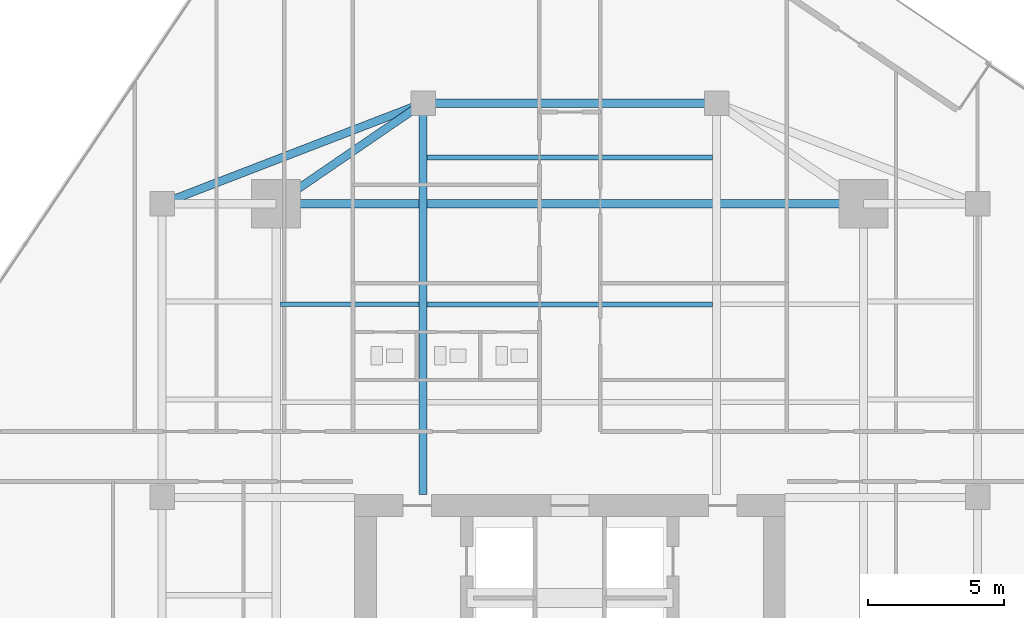
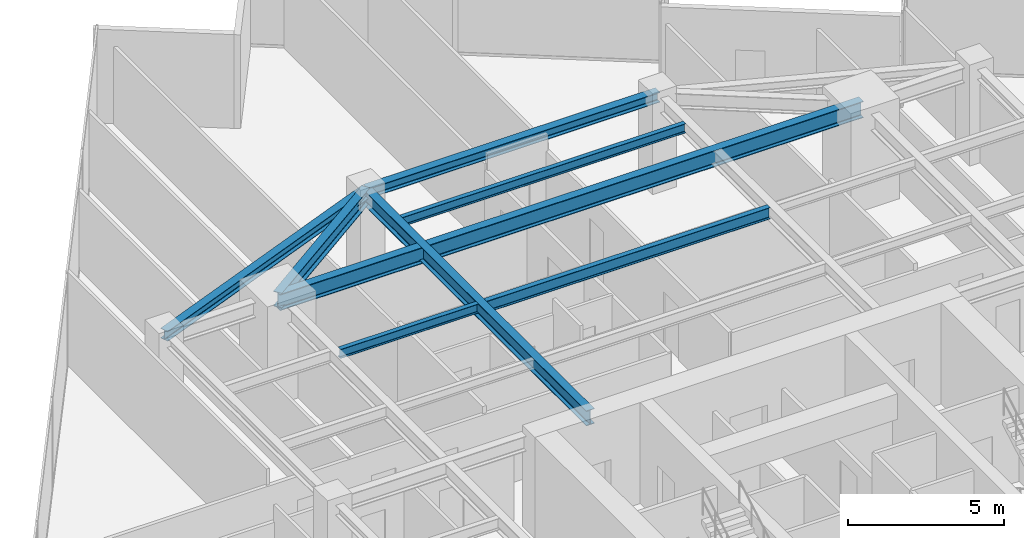
# One storey, part 15 of 27: 8 beams.
"""IFC4 building model written with IfcOpenShell, lengths in metres."""

from ifc_helpers import new_model, si_unit, direction, frame, origin, origin_2d, place, context, subcontext, project, spatial, i_section, extrude, source, transform, mapped, material, material_profile, profile_set, type_object, type_shapes, element, save


model = new_model("IFC4")

# Units and contexts
model_context = context("Model", 3, precision=1e-05, world=origin(), true_north=direction((0.0, 1.0)))
body_context = subcontext(model_context, "Body", "Model", "MODEL_VIEW")
ifc_project = project(units=[si_unit("LENGTHUNIT", "METRE"), si_unit("AREAUNIT", "SQUARE_METRE"), si_unit("VOLUMEUNIT", "CUBIC_METRE"), si_unit("PLANEANGLEUNIT", "RADIAN"), si_unit("MASSUNIT", "GRAM", prefix="KILO")], contexts=[model_context])

# Site, building, storey
site_placement = place(None, origin())
site = spatial("IfcSite", under=ifc_project, at=site_placement, CompositionType="ELEMENT")
building_placement = place(site_placement, origin())
building = spatial("IfcBuilding", under=site, at=building_placement, Name="Krantzveldt Concourse Tower", CompositionType="ELEMENT")
storey_placement = place(building_placement, frame((0.0, 0.0, 189.64990234375)))
storey = spatial("IfcBuildingStorey", under=building, at=storey_placement, Name="L46", CompositionType="ELEMENT", Elevation=189.64990234375)

# Beams
ifc_material = material(Name="Steel S355JR", Category="steel")
ifc_material_profile_1 = material_profile(ifc_material, i_section(OverallWidth=0.300048828125, OverallDepth=0.639892578125, WebThickness=0.013427734375, FlangeThickness=0.02587890625, FilletRadius=0.027099609375, at=origin_2d()), Name="Steel S355JR", Category="steel")
ifc_profile_set_1 = profile_set([ifc_material_profile_1], Name="Steel S355JR - HEA 650")
beam_type_1 = type_object("IfcBeamType", Name="BM-B-HEA650", PredefinedType="BEAM", material=ifc_profile_set_1)
shared_shape_1 = source(origin(), body_context, "Body", "SweptSolid", [
    extrude(i_section(OverallWidth=0.300048828125, OverallDepth=0.639892578125, WebThickness=0.013427734375, FlangeThickness=0.02587890625, FilletRadius=0.027099609375, at=origin_2d()), origin(), (0.0, 0.0, 1.0), 21.60009765625),
])
type_shapes(beam_type_1, [shared_shape_1])
beam_1_placement = place(storey_placement, frame((25.199951171875, 37.5, 3.35009765625), z_axis=(1.0, 0.0, 0.0), x_axis=(0.0, 1.0, 0.0)))
element("IfcBeam", 1, at=beam_1_placement, inside=storey, type_object=beam_type_1, Name="L46 Tower Girder BG-MN", PredefinedType="BEAM", context=body_context, shape_type="MappedRepresentation", body=[
    mapped(shared_shape_1, transform((0.0, 0.0, 0.0), x_axis=(1.0, 0.0, 0.0), y_axis=(0.0, 1.0, 0.0), z_axis=(0.0, 0.0, 1.0), scale=1.0)),
])
ifc_material_profile_2 = material_profile(ifc_material, i_section(OverallWidth=0.300048828125, OverallDepth=0.590087890625, WebThickness=0.012939453125, FlangeThickness=0.02490234375, FilletRadius=0.027099609375, at=origin_2d()), Name="Steel S355JR", Category="steel")
ifc_profile_set_2 = profile_set([ifc_material_profile_2], Name="Steel S355JR - HEA 600")
beam_type_2 = type_object("IfcBeamType", Name="BM-B-HEA600", PredefinedType="BEAM", material=ifc_profile_set_2)
shared_shape_2 = source(origin(), body_context, "Body", "SweptSolid", [
    extrude(i_section(OverallWidth=0.300048828125, OverallDepth=0.590087890625, WebThickness=0.012939453125, FlangeThickness=0.02490234375, FilletRadius=0.027099609375, at=origin_2d()), origin(), (0.0, 0.0, 1.0), 14.39990234375),
])
beam_2_placement = place(storey_placement, frame((30.60009765625, 26.800048828125, 3.375), z_axis=(0.0, 1.0, 0.0), x_axis=(-1.0, 0.0, 0.0)))
element("IfcBeam", 2, at=beam_2_placement, inside=storey, type_object=beam_type_2, Name="L46 Tower Girder BG-CNW", PredefinedType="BEAM", context=body_context, shape_type="MappedRepresentation", body=[
    mapped(shared_shape_2, transform((0.0, 0.0, 0.0), x_axis=(1.0, 0.0, 0.0), y_axis=(0.0, 1.0, 0.0), z_axis=(0.0, 0.0, 1.0), scale=1.0)),
])
shared_shape_3 = source(origin(), body_context, "Body", "SweptSolid", [
    extrude(i_section(OverallWidth=0.300048828125, OverallDepth=0.590087890625, WebThickness=0.012939453125, FlangeThickness=0.02490234375, FilletRadius=0.027099609375, at=origin_2d()), origin(), (0.0, 0.0, 1.0), 6.546142578125),
])
type_shapes(beam_type_2, [shared_shape_2, shared_shape_3])
beam_3_placement = place(storey_placement, frame((25.199951171875, 37.5, 3.375), z_axis=(0.824942999484, 0.565215930068, 0.0), x_axis=(-0.565215930068, 0.824942999484, 0.0)))
element("IfcBeam", 3, at=beam_3_placement, inside=storey, type_object=beam_type_2, Name="L46 Tower Girder BR-RL4", PredefinedType="BEAM", context=body_context, shape_type="MappedRepresentation", body=[
    mapped(shared_shape_3, transform((0.0, 0.0, 0.0), x_axis=(1.0, 0.0, 0.0), y_axis=(0.0, 1.0, 0.0), z_axis=(0.0, 0.0, 1.0), scale=1.0)),
])
ifc_material_profile_3 = material_profile(ifc_material, i_section(OverallWidth=0.18994140625, OverallDepth=0.449951171875, WebThickness=0.009521484375, FlangeThickness=0.0146484375, FilletRadius=0.02099609375, at=origin_2d()), Name="Steel S355JR", Category="steel")
ifc_profile_set_3 = profile_set([ifc_material_profile_3], Name="Steel S355JR - IPE 450")
beam_type_3 = type_object("IfcBeamType", Name="BM-J-IPE450", PredefinedType="JOIST", material=ifc_profile_set_3)
shared_shape_4 = source(origin(), body_context, "Body", "SweptSolid", [
    extrude(i_section(OverallWidth=0.18994140625, OverallDepth=0.449951171875, WebThickness=0.009521484375, FlangeThickness=0.0146484375, FilletRadius=0.02099609375, at=origin_2d()), origin(), (0.0, 0.0, 1.0), 10.5),
])
type_shapes(beam_type_3, [shared_shape_4])
beam_4_placement = place(storey_placement, frame((30.75, 33.800048828125, 3.445068359375), z_axis=(1.0, 0.0, 0.0), x_axis=(0.0, 1.0, 0.0)))
element("IfcBeam", 4, at=beam_4_placement, inside=storey, type_object=beam_type_3, Name="L46 Secondary Floor Joist JN-C2", PredefinedType="JOIST", context=body_context, shape_type="MappedRepresentation", body=[
    mapped(shared_shape_4, transform((0.0, 0.0, 0.0), x_axis=(1.0, 0.0, 0.0), y_axis=(0.0, 1.0, 0.0), z_axis=(0.0, 0.0, 1.0), scale=1.0)),
])
ifc_material_profile_4 = material_profile(ifc_material, i_section(OverallWidth=0.300048828125, OverallDepth=0.389892578125, WebThickness=0.010986328125, FlangeThickness=0.01904296875, FilletRadius=0.027099609375, at=origin_2d()), Name="Steel S355JR", Category="steel")
ifc_profile_set_4 = profile_set([ifc_material_profile_4], Name="Steel S355JR - HEA 400")
beam_type_4 = type_object("IfcBeamType", Name="BM-SP-HEA400", PredefinedType="SPANDREL", material=ifc_profile_set_4)
shared_shape_5 = source(origin(), body_context, "Body", "SweptSolid", [
    extrude(i_section(OverallWidth=0.300048828125, OverallDepth=0.389892578125, WebThickness=0.010986328125, FlangeThickness=0.01904296875, FilletRadius=0.027099609375, at=origin_2d()), origin(), (0.0, 0.0, 1.0), 10.288330078125),
])
beam_5_placement = place(storey_placement, frame((21.0, 37.5, 3.47509765625), z_axis=(0.933097690408, 0.359622997257, 0.0), x_axis=(-0.359622997257, 0.933097690408, 0.0)))
element("IfcBeam", 5, at=beam_5_placement, inside=storey, type_object=beam_type_4, Name="L46 Tower Girder SP-R03", PredefinedType="SPANDREL", context=body_context, shape_type="MappedRepresentation", body=[
    mapped(shared_shape_5, transform((0.0, 0.0, 0.0), x_axis=(1.0, 0.0, 0.0), y_axis=(0.0, 1.0, 0.0), z_axis=(0.0, 0.0, 1.0), scale=1.0)),
])
shared_shape_6 = source(origin(), body_context, "Body", "SweptSolid", [
    extrude(i_section(OverallWidth=0.300048828125, OverallDepth=0.389892578125, WebThickness=0.010986328125, FlangeThickness=0.01904296875, FilletRadius=0.027099609375, at=origin_2d()), origin(), (0.0, 0.0, 1.0), 10.7998046875),
])
type_shapes(beam_type_4, [shared_shape_5, shared_shape_6])
beam_6_placement = place(storey_placement, frame((30.60009765625, 41.199951171875, 3.47509765625), z_axis=(1.0, 0.0, 0.0), x_axis=(0.0, 1.0, 0.0)))
element("IfcBeam", 6, at=beam_6_placement, inside=storey, type_object=beam_type_4, Name="L46 Tower Girder SP-R04", PredefinedType="SPANDREL", context=body_context, shape_type="MappedRepresentation", body=[
    mapped(shared_shape_6, transform((0.0, 0.0, 0.0), x_axis=(1.0, 0.0, 0.0), y_axis=(0.0, 1.0, 0.0), z_axis=(0.0, 0.0, 1.0), scale=1.0)),
])
ifc_material_profile_5 = material_profile(ifc_material, i_section(OverallWidth=0.169921875, OverallDepth=0.360107421875, WebThickness=0.008056640625, FlangeThickness=0.0126953125, FilletRadius=0.01806640625, at=origin_2d()), Name="Steel S355JR", Category="steel")
ifc_profile_set_5 = profile_set([ifc_material_profile_5], Name="Steel S355JR - IPE 360")
beam_type_5 = type_object("IfcBeamType", Name="BM-J-IPE360", PredefinedType="JOIST", material=ifc_profile_set_5)
shared_shape_7 = source(origin(), body_context, "Body", "SweptSolid", [
    extrude(i_section(OverallWidth=0.169921875, OverallDepth=0.360107421875, WebThickness=0.008056640625, FlangeThickness=0.0126953125, FilletRadius=0.01806640625, at=origin_2d()), origin(), (0.0, 0.0, 1.0), 10.5),
])
beam_7_placement = place(storey_placement, frame((30.75, 39.199951171875, 3.489990234375), z_axis=(1.0, 0.0, 0.0), x_axis=(0.0, 1.0, 0.0)))
element("IfcBeam", 7, at=beam_7_placement, inside=storey, type_object=beam_type_5, Name="L46 Secondary Floor Joist JN-C3", PredefinedType="JOIST", context=body_context, shape_type="MappedRepresentation", body=[
    mapped(shared_shape_7, transform((0.0, 0.0, 0.0), x_axis=(1.0, 0.0, 0.0), y_axis=(0.0, 1.0, 0.0), z_axis=(0.0, 0.0, 1.0), scale=1.0)),
])
shared_shape_8 = source(origin(), body_context, "Body", "SweptSolid", [
    extrude(i_section(OverallWidth=0.169921875, OverallDepth=0.360107421875, WebThickness=0.008056640625, FlangeThickness=0.0126953125, FilletRadius=0.01806640625, at=origin_2d()), origin(), (0.0, 0.0, 1.0), 5.099853515625),
])
type_shapes(beam_type_5, [shared_shape_7, shared_shape_8])
beam_8_placement = place(storey_placement, frame((25.35009765625, 33.800048828125, 3.489990234375), z_axis=(1.0, 0.0, 0.0), x_axis=(0.0, 1.0, 0.0)))
element("IfcBeam", 8, at=beam_8_placement, inside=storey, type_object=beam_type_5, Name="L46 Secondary Floor Joist JN-W2", PredefinedType="JOIST", context=body_context, shape_type="MappedRepresentation", body=[
    mapped(shared_shape_8, transform((0.0, 0.0, 0.0), x_axis=(1.0, 0.0, 0.0), y_axis=(0.0, 1.0, 0.0), z_axis=(0.0, 0.0, 1.0), scale=1.0)),
])

save(model, "model.ifc")
